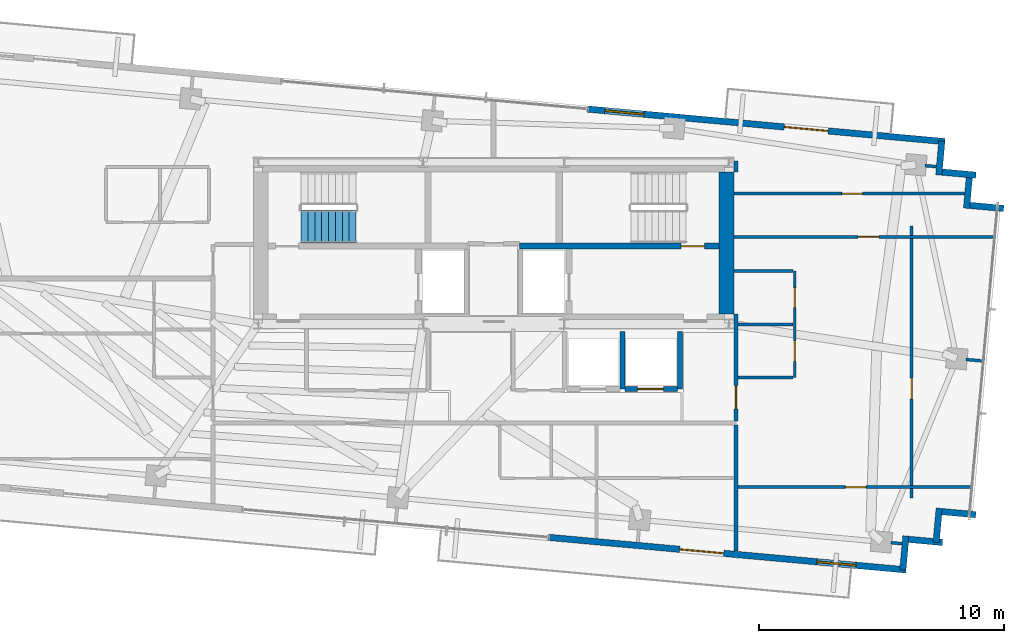
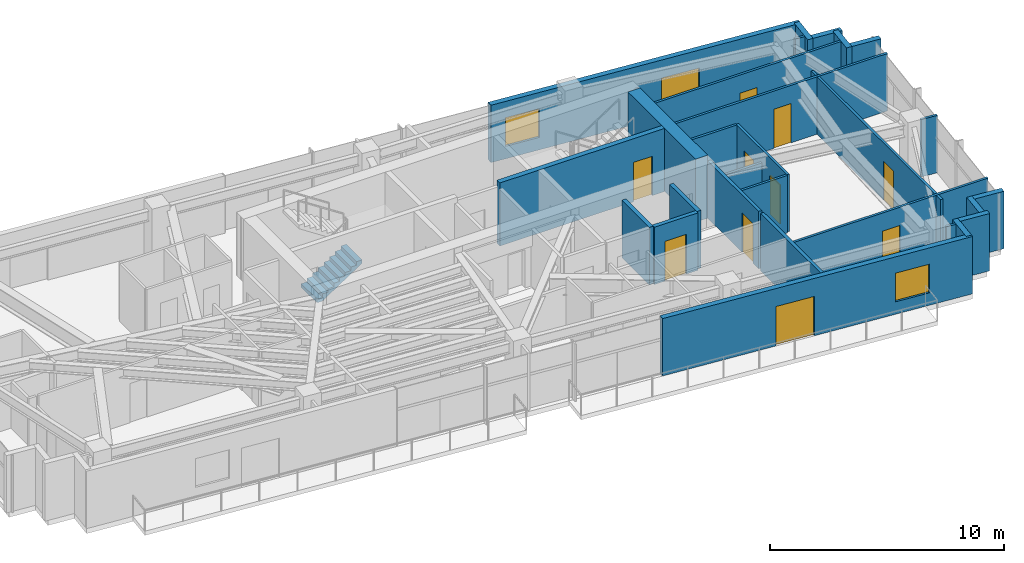
# One storey, part 18 of 22: 31 walls, 11 doors, 2 windows, 1 stair flight, 13 openings, 1 element without a shape of its own.
"""IFC4 building model written with IfcOpenShell, lengths in metres."""

from ifc_helpers import new_model, si_unit, direction, frame, frame_2d, origin, place, context, subcontext, project, spatial, polyline, rectangle, outline, extrude, source, transform, mapped, material, layer, layer_set, type_object, type_shapes, element, fill, aggregate, save


model = new_model("IFC4")

# Units and contexts
model_context = context("Model", 3, precision=1e-05, world=origin(), true_north=direction((0.0, 1.0)))
body_context = subcontext(model_context, "Body", "Model", "MODEL_VIEW")
ifc_project = project(units=[si_unit("LENGTHUNIT", "METRE"), si_unit("AREAUNIT", "SQUARE_METRE"), si_unit("VOLUMEUNIT", "CUBIC_METRE"), si_unit("PLANEANGLEUNIT", "RADIAN"), si_unit("MASSUNIT", "GRAM", prefix="KILO")], contexts=[model_context])

# Site, building, storey
site_placement = place(None, origin())
site = spatial("IfcSite", under=ifc_project, at=site_placement, CompositionType="ELEMENT")
building_placement = place(site_placement, origin())
building = spatial("IfcBuilding", under=site, at=building_placement, Name="Astriad Promenade Condominiums", CompositionType="ELEMENT")
storey_placement = place(building_placement, frame((0.0, 0.0, 256.199951171875)))
storey = spatial("IfcBuildingStorey", under=building, at=storey_placement, Name="L74", CompositionType="ELEMENT", Elevation=256.199951171875)

# Wall
ifc_material_1 = material(Name="Concrete C50/60", Category="concrete")
ifc_layer_1 = layer(ifc_material_1, 0.60009765625)
ifc_layer_set_1 = layer_set([ifc_layer_1], Name="Concrete C50/60")
wall_type_1 = type_object("IfcWallType", Name="CW-SHEAR-600", PredefinedType="SHEAR", material=ifc_layer_set_1)
wall_1_placement = place(storey_placement, frame((45.5, 17.802001953125, 0.0), z_axis=(0.0, 0.0, 1.0), x_axis=(0.0, 1.0, 0.0)))
element("IfcWall", 1, at=wall_1_placement, inside=storey, type_object=wall_type_1, Name="CW-CORE-E-L74", PredefinedType="SHEAR", context=body_context, shape_type="SweptSolid", body=[
    extrude(rectangle(XDim=5.7958984375, YDim=0.60009765625, at=frame_2d((2.89794921875, 0.0))), origin(), (0.0, 0.0, 1.0), 3.300048828125),
])

# Wall, opening, door
ifc_layer_2 = layer(ifc_material_1, 0.25)
ifc_layer_set_2 = layer_set([ifc_layer_2], Name="Concrete C50/60")
wall_type_2 = type_object("IfcWallType", Name="WALL-CORE-INT-250", PredefinedType="SOLIDWALL", material=ifc_layer_set_2)
wall_2_placement = place(storey_placement, frame((37.050048828125, 20.574951171875, 0.0), z_axis=(0.0, 0.0, 1.0), x_axis=(1.0, 0.0, 0.0)))
wall_2 = element("IfcWall", 2, at=wall_2_placement, inside=storey, type_object=wall_type_2, Name="CW-INT-H2-L74", PredefinedType="SOLIDWALL", context=body_context, shape_type="SweptSolid", body=[
    extrude(rectangle(XDim=8.14794921875, YDim=0.25, at=frame_2d((4.073974609375, 0.0))), origin(), (0.0, 0.0, 1.0), 3.300048828125),
])
opening_1_placement = place(wall_2_placement, frame((6.60009765625, 0.0, 0.0)))
opening_1 = element("IfcOpeningElement", 3, at=opening_1_placement, cuts=wall_2, Name="Opening FD90-ST-095", PredefinedType="OPENING", context=body_context, shape_type="SweptSolid", body=[
    extrude(rectangle(XDim=0.949951171875, YDim=2.06005859375, at=frame_2d((0.47509765625, 1.030029296875))), frame((0.0, 0.135009765625, 0.0), z_axis=(0.0, -1.0, 0.0), x_axis=(1.0, 0.0, 0.0)), (0.0, 0.0, 1.0), 0.27001953125),
])
ifc_material_2 = material(Name="Fire-Rated Hollow Metal Stair Door")
door_type_1 = type_object("IfcDoorType", Name="FD90-ST-095", OperationType="NOTDEFINED", PredefinedType="DOOR", material=ifc_material_2)
shared_shape_1 = source(origin(), body_context, "Body", "SweptSolid", [
    extrude(rectangle(XDim=0.949951171875, YDim=2.06005859375, at=frame_2d((0.47509765625, 1.030029296875))), frame((0.0, 0.02490234375, 0.0), z_axis=(0.0, -1.0, 0.0), x_axis=(1.0, 0.0, 0.0)), (0.0, 0.0, 1.0), 0.050048828125),
])
type_shapes(door_type_1, [shared_shape_1])
door_1_placement = place(opening_1_placement, origin())
door_1 = element("IfcDoor", 4, at=door_1_placement, inside=storey, type_object=door_type_1, Name="D-ST2-L74", OperationType="SINGLE_SWING_RIGHT", OverallHeight=2.06005859375, OverallWidth=0.949951171875, PredefinedType="DOOR", context=body_context, shape_type="MappedRepresentation", body=[
    mapped(shared_shape_1, transform((0.0, 0.0, 0.0), scale=1.0)),
])
fill(opening_1, door_1)

# Wall
ifc_material_3 = material(Name="Fire-Rated Gypsum Partition")
ifc_layer_3 = layer(ifc_material_3, 0.159912109375)
ifc_layer_set_3 = layer_set([ifc_layer_3], Name="Fire-Rated Gypsum Partition")
wall_type_3 = type_object("IfcWallType", Name="WALL-CORR-160", PredefinedType="PARTITIONING", material=ifc_layer_set_3)
wall_3_placement = place(storey_placement, frame((45.8798828125, 8.135986328125, 0.0), z_axis=(0.0, 0.0, 1.0), x_axis=(0.0, 1.0, 0.0)))
element("IfcWall", 5, at=wall_3_placement, inside=storey, type_object=wall_type_3, Name="PT-COR-E-L74", PredefinedType="PARTITIONING", context=body_context, shape_type="SweptSolid", body=[
    extrude(rectangle(XDim=5.14208984375, YDim=0.159912109375, at=frame_2d((2.571044921875, 0.0))), origin(), (0.0, 0.0, 1.0), 3.0),
])

# Wall, opening, door
wall_4_placement = place(storey_placement, frame((45.8798828125, 13.44189453125, 0.0), z_axis=(0.0, 0.0, 1.0), x_axis=(0.0, 1.0, 0.0)))
wall_4 = element("IfcWall", 6, at=wall_4_placement, inside=storey, type_object=wall_type_3, Name="PT-COR-E-L74-S2", PredefinedType="PARTITIONING", context=body_context, shape_type="SweptSolid", body=[
    extrude(rectangle(XDim=4.360107421875, YDim=0.159912109375, at=frame_2d((2.18017578125, 0.0))), origin(), (0.0, 0.0, 1.0), 3.0),
])
opening_2_placement = place(wall_4_placement, frame((0.492919921875, 0.0, 0.0)))
opening_2 = element("IfcOpeningElement", 7, at=opening_2_placement, cuts=wall_4, Name="Opening FD60-APT-095", PredefinedType="OPENING", context=body_context, shape_type="SweptSolid", body=[
    extrude(rectangle(XDim=0.949951171875, YDim=2.06005859375, at=frame_2d((0.47509765625, 1.030029296875))), frame((0.0, 0.08984375, 0.0), z_axis=(0.0, -1.0, 0.0), x_axis=(1.0, 0.0, 0.0)), (0.0, 0.0, 1.0), 0.179931640625),
])
ifc_material_4 = material(Name="Solid-Core Acoustic Timber Residence Entry Door", Category="wood")
door_type_2 = type_object("IfcDoorType", Name="FD60-APT-095", OperationType="NOTDEFINED", PredefinedType="DOOR", material=ifc_material_4)
shared_shape_2 = source(origin(), body_context, "Body", "SweptSolid", [
    extrude(rectangle(XDim=0.949951171875, YDim=2.06005859375, at=frame_2d((0.47509765625, 1.030029296875))), frame((0.0, 0.02490234375, 0.0), z_axis=(0.0, -1.0, 0.0), x_axis=(1.0, 0.0, 0.0)), (0.0, 0.0, 1.0), 0.050048828125),
])
type_shapes(door_type_2, [shared_shape_2])
door_2_placement = place(opening_2_placement, origin())
door_2 = element("IfcDoor", 8, at=door_2_placement, inside=storey, type_object=door_type_2, Name="D-ENT-L74-E1", OperationType="SINGLE_SWING_LEFT", OverallHeight=2.06005859375, OverallWidth=0.949951171875, PredefinedType="DOOR", context=body_context, shape_type="MappedRepresentation", body=[
    mapped(shared_shape_2, transform((0.0, 0.0, 0.0), scale=1.0)),
])
fill(opening_2, door_2)

# Wall
wall_5_placement = place(storey_placement, frame((45.8798828125, 23.597900390625, 0.0), z_axis=(0.0, 0.0, 1.0), x_axis=(0.0, 1.0, 0.0)))
element("IfcWall", 9, at=wall_5_placement, inside=storey, type_object=wall_type_3, Name="PT-COR-E-L74-S3", PredefinedType="PARTITIONING", context=body_context, shape_type="SweptSolid", body=[
    extrude(rectangle(XDim=0.4521484375, YDim=0.159912109375, at=frame_2d((0.22607421875, 0.0))), origin(), (0.0, 0.0, 1.0), 3.0),
])

# Wall, openings, door, window
ifc_material_5 = material(Name="Precast concrete C50/60", Category="concrete")
ifc_layer_4 = layer(ifc_material_5, 0.260009765625)
ifc_layer_set_4 = layer_set([ifc_layer_4], Name="Precast concrete C50/60")
wall_type_4 = type_object("IfcWallType", Name="WALL-EXT-TWR-260", PredefinedType="STANDARD", material=ifc_layer_set_4)
wall_6_placement = place(storey_placement, frame((39.839111328125, 26.16552734375, 0.0), z_axis=(0.0, 0.0, 1.0), x_axis=(0.995884447498, -0.090632043071, 0.0)))
wall_6 = element("IfcWall", 10, at=wall_6_placement, inside=storey, type_object=wall_type_4, Name="W-EXT-L74-N2", PredefinedType="STANDARD", context=body_context, shape_type="SweptSolid", body=[
    extrude(rectangle(XDim=14.6298828125, YDim=0.260009765625, at=frame_2d((7.31494140625, 0.0))), origin(), (0.0, 0.0, 1.0), 3.0),
])
opening_3_placement = place(wall_6_placement, frame((8.050048828125, 0.0, 0.0)))
opening_3 = element("IfcOpeningElement", 11, at=opening_3_placement, cuts=wall_6, Name="Opening BD-1822-SLD", PredefinedType="OPENING", context=body_context, shape_type="SweptSolid", body=[
    extrude(rectangle(XDim=1.800048828125, YDim=2.06005859375, at=frame_2d((0.89990234375, 1.030029296875))), frame((0.0, 0.139892578125, 0.0), z_axis=(0.0, -1.0, 0.0), x_axis=(1.0, 0.0, 0.0)), (0.0, 0.0, 1.0), 0.280029296875),
])
opening_4_placement = place(wall_6_placement, frame((0.699951171875, 0.0, 0.64990234375)))
opening_4 = element("IfcOpeningElement", 12, at=opening_4_placement, cuts=wall_6, Name="Opening WIN-TWR-1620", PredefinedType="OPENING", context=body_context, shape_type="SweptSolid", body=[
    extrude(rectangle(XDim=1.60009765625, YDim=1.5, at=frame_2d((0.800048828125, 0.75))), frame((0.0, 0.139892578125, 0.0), z_axis=(0.0, -1.0, 0.0), x_axis=(1.0, 0.0, 0.0)), (0.0, 0.0, 1.0), 0.280029296875),
])
ifc_material_6 = material(Name="Thermally Broken Aluminium Sliding Balcony Door", Category="aluminium")
door_type_3 = type_object("IfcDoorType", Name="BD-1822-SLD", OperationType="NOTDEFINED", PredefinedType="DOOR", material=ifc_material_6)
shared_shape_3 = source(origin(), body_context, "Body", "SweptSolid", [
    extrude(rectangle(XDim=1.800048828125, YDim=2.06005859375, at=frame_2d((0.89990234375, 1.030029296875))), frame((0.0, 0.02490234375, 0.0), z_axis=(0.0, -1.0, 0.0), x_axis=(1.0, 0.0, 0.0)), (0.0, 0.0, 1.0), 0.050048828125),
])
type_shapes(door_type_3, [shared_shape_3])
door_3_placement = place(opening_3_placement, origin())
door_3 = element("IfcDoor", 13, at=door_3_placement, inside=storey, type_object=door_type_3, Name="BD-L74-NE", OperationType="SLIDING_TO_RIGHT", OverallHeight=2.06005859375, OverallWidth=1.800048828125, PredefinedType="DOOR", context=body_context, shape_type="MappedRepresentation", body=[
    mapped(shared_shape_3, transform((0.0, 0.0, 0.0), scale=1.0)),
])
fill(opening_3, door_3)
ifc_material_7 = material(Name="Dark Tinted Triple-Glazed Aluminium Window", Category="aluminium")
window_type = type_object("IfcWindowType", Name="WIN-TWR-1620", PartitioningType="SINGLE_PANEL", PredefinedType="WINDOW", material=ifc_material_7)
shared_shape_4 = source(origin(), body_context, "Body", "SweptSolid", [
    extrude(rectangle(XDim=1.60009765625, YDim=1.5, at=frame_2d((0.800048828125, 0.75))), frame((0.0, 0.030029296875, 0.0), z_axis=(0.0, -1.0, 0.0), x_axis=(1.0, 0.0, 0.0)), (0.0, 0.0, 1.0), 0.06005859375),
])
type_shapes(window_type, [shared_shape_4])
window_1_placement = place(opening_4_placement, origin())
window_1 = element("IfcWindow", 14, at=window_1_placement, inside=storey, type_object=window_type, Name="WIN-L74-NE", OverallHeight=1.5, OverallWidth=1.60009765625, PartitioningType="SINGLE_PANEL", PredefinedType="WINDOW", context=body_context, shape_type="MappedRepresentation", body=[
    mapped(shared_shape_4, transform((0.0, 0.0, 0.0), scale=1.0)),
])
fill(opening_4, window_1)

# Walls
wall_7_placement = place(storey_placement, frame((54.28076171875, 24.866455078125, 0.0), z_axis=(0.0, 0.0, 1.0), x_axis=(-0.090661991521, -0.995881721538, 0.0)))
element("IfcWall", 15, at=wall_7_placement, inside=storey, type_object=wall_type_4, Name="W-SER-L74-09", PredefinedType="STANDARD", context=body_context, shape_type="SweptSolid", body=[
    extrude(rectangle(XDim=1.39501953125, YDim=0.260009765625, at=frame_2d((0.697509765625, 0.0))), origin(), (0.0, 0.0, 1.0), 3.0),
])
for number, where, z_axis, x_axis, name in (
    (16, (54.280517578125, 23.59619140625, 0.0), (0.0, 0.0, 1.0), (0.995883159782, -0.090646191665, 0.0), "W-SER-L74-10"),
    (17, (55.412353515625, 23.50830078125, 0.0), (0.0, 0.0, 1.0), (-0.090646191665, -0.995883159782, 0.0), "W-SER-L74-11"),
    (18, (55.412109375, 22.238037109375, 0.0), (0.0, 0.0, 1.0), (0.995883159782, -0.090646191665, 0.0), "W-SER-L74-12"),
):
    element("IfcWall", number, at=place(storey_placement, frame(where, z_axis=z_axis, x_axis=x_axis)), inside=storey, type_object=wall_type_4, Name=name, PredefinedType="STANDARD", context=body_context, shape_type="SweptSolid", body=[
        extrude(rectangle(XDim=1.395263671875, YDim=0.260009765625, at=frame_2d((0.69775390625, 0.0))), origin(), (0.0, 0.0, 1.0), 3.0),
    ])
for number, where, z_axis, x_axis, name in (
    (19, (55.664794921875, 9.623291015625, 0.0), (0.0, 0.0, 1.0), (-0.995881721538, 0.090661991521, 0.0), "W-SER-L74-14"),
    (20, (54.1728515625, 9.889404296875, 0.0), (0.0, 0.0, 1.0), (-0.090661991521, -0.995881721538, 0.0), "W-SER-L74-15"),
):
    element("IfcWall", number, at=place(storey_placement, frame(where, z_axis=z_axis, x_axis=x_axis)), inside=storey, type_object=wall_type_4, Name=name, PredefinedType="STANDARD", context=body_context, shape_type="SweptSolid", body=[
        extrude(rectangle(XDim=1.39501953125, YDim=0.260009765625, at=frame_2d((0.697509765625, 0.0))), origin(), (0.0, 0.0, 1.0), 3.0),
    ])
for number, where, z_axis, x_axis, name in (
    (21, (54.306884765625, 8.49169921875, 0.0), (0.0, 0.0, 1.0), (-0.995883159782, 0.090646191665, 0.0), "W-SER-L74-16"),
    (22, (52.814697265625, 8.758056640625, 0.0), (0.0, 0.0, 1.0), (-0.090646191665, -0.995883159782, 0.0), "W-SER-L74-17"),
):
    element("IfcWall", number, at=place(storey_placement, frame(where, z_axis=z_axis, x_axis=x_axis)), inside=storey, type_object=wall_type_4, Name=name, PredefinedType="STANDARD", context=body_context, shape_type="SweptSolid", body=[
        extrude(rectangle(XDim=1.395263671875, YDim=0.260009765625, at=frame_2d((0.69775390625, 0.0))), origin(), (0.0, 0.0, 1.0), 3.0),
    ])

# Wall, openings, door, window
wall_8_placement = place(storey_placement, frame((52.819091796875, 7.371826171875, 0.0), z_axis=(0.0, 0.0, 1.0), x_axis=(-0.995884447498, 0.090632043071, 0.0)))
wall_8 = element("IfcWall", 23, at=wall_8_placement, inside=storey, type_object=wall_type_4, Name="W-EXT-L74-S1", PredefinedType="STANDARD", context=body_context, shape_type="SweptSolid", body=[
    extrude(rectangle(XDim=14.6298828125, YDim=0.260009765625, at=frame_2d((7.31494140625, 0.0))), origin(), (0.0, 0.0, 1.0), 3.0),
])
opening_5_placement = place(wall_8_placement, frame((7.470947265625, 0.0, 0.0)))
opening_5 = element("IfcOpeningElement", 24, at=opening_5_placement, cuts=wall_8, Name="Opening BD-1822-SLD", PredefinedType="OPENING", context=body_context, shape_type="SweptSolid", body=[
    extrude(rectangle(XDim=1.800048828125, YDim=2.06005859375, at=frame_2d((0.89990234375, 1.030029296875))), frame((0.0, 0.139892578125, 0.0), z_axis=(0.0, -1.0, 0.0), x_axis=(1.0, 0.0, 0.0)), (0.0, 0.0, 1.0), 0.280029296875),
])
opening_6_placement = place(wall_8_placement, frame((2.050048828125, 0.0, 0.64990234375)))
opening_6 = element("IfcOpeningElement", 25, at=opening_6_placement, cuts=wall_8, Name="Opening WIN-TWR-1620", PredefinedType="OPENING", context=body_context, shape_type="SweptSolid", body=[
    extrude(rectangle(XDim=1.60009765625, YDim=1.5, at=frame_2d((0.800048828125, 0.75))), frame((0.0, 0.139892578125, 0.0), z_axis=(0.0, -1.0, 0.0), x_axis=(1.0, 0.0, 0.0)), (0.0, 0.0, 1.0), 0.280029296875),
])
door_4_placement = place(opening_5_placement, origin())
door_4 = element("IfcDoor", 26, at=door_4_placement, inside=storey, type_object=door_type_3, Name="BD-L74-SE", OperationType="SLIDING_TO_RIGHT", OverallHeight=2.06005859375, OverallWidth=1.800048828125, PredefinedType="DOOR", context=body_context, shape_type="MappedRepresentation", body=[
    mapped(shared_shape_3, transform((0.0, 0.0, 0.0), scale=1.0)),
])
fill(opening_5, door_4)
window_2_placement = place(opening_6_placement, origin())
window_2 = element("IfcWindow", 27, at=window_2_placement, inside=storey, type_object=window_type, Name="WIN-L74-SE", OverallHeight=1.5, OverallWidth=1.60009765625, PartitioningType="SINGLE_PANEL", PredefinedType="WINDOW", context=body_context, shape_type="MappedRepresentation", body=[
    mapped(shared_shape_4, transform((0.0, 0.0, 0.0), scale=1.0)),
])
fill(opening_6, window_2)

# Wall, openings, doors
ifc_material_8 = material(Name="Acoustic Metal-Stud Gypsum Partition")
ifc_layer_5 = layer(ifc_material_8, 0.1201171875)
ifc_layer_set_5 = layer_set([ifc_layer_5], Name="Acoustic Metal-Stud Gypsum Partition")
wall_type_5 = type_object("IfcWallType", Name="WALL-PART-120", PredefinedType="PARTITIONING", material=ifc_layer_set_5)
wall_9_placement = place(storey_placement, frame((48.280029296875, 15.2099609375, 0.0), z_axis=(0.0, 0.0, 1.0), x_axis=(0.0, 1.0, 0.0)))
wall_9 = element("IfcWall", 28, at=wall_9_placement, inside=storey, type_object=wall_type_5, Name="PT-L74-E1-PV", PredefinedType="PARTITIONING", context=body_context, shape_type="SweptSolid", body=[
    extrude(rectangle(XDim=4.35009765625, YDim=0.1201171875, at=frame_2d((2.175048828125, 0.0))), origin(), (0.0, 0.0, 1.0), 3.0),
])
opening_7_placement = place(wall_9_placement, frame((0.662109375, 0.0, 0.0)))
opening_7 = element("IfcOpeningElement", 29, at=opening_7_placement, cuts=wall_9, Name="Opening D-INT-085", PredefinedType="OPENING", context=body_context, shape_type="SweptSolid", body=[
    extrude(rectangle(XDim=0.85009765625, YDim=2.050048828125, at=frame_2d((0.425048828125, 1.02490234375))), frame((0.0, 0.070068359375, 0.0), z_axis=(0.0, -1.0, 0.0), x_axis=(1.0, 0.0, 0.0)), (0.0, 0.0, 1.0), 0.14013671875),
])
opening_8_placement = place(wall_9_placement, frame((2.863037109375, 0.0, 0.0)))
opening_8 = element("IfcOpeningElement", 30, at=opening_8_placement, cuts=wall_9, Name="Opening D-WET-080", PredefinedType="OPENING", context=body_context, shape_type="SweptSolid", body=[
    extrude(rectangle(XDim=0.800048828125, YDim=2.02001953125, at=frame_2d((0.39990234375, 1.010009765625))), frame((0.0, 0.070068359375, 0.0), z_axis=(0.0, -1.0, 0.0), x_axis=(1.0, 0.0, 0.0)), (0.0, 0.0, 1.0), 0.14013671875),
])
ifc_material_9 = material(Name="Moisture-Resistant Timber Bathroom Door", Category="wood")
door_type_4 = type_object("IfcDoorType", Name="D-WET-080", OperationType="NOTDEFINED", PredefinedType="DOOR", material=ifc_material_9)
shared_shape_5 = source(origin(), body_context, "Body", "SweptSolid", [
    extrude(rectangle(XDim=0.800048828125, YDim=2.02001953125, at=frame_2d((0.39990234375, 1.010009765625))), frame((0.0, 0.02490234375, 0.0), z_axis=(0.0, -1.0, 0.0), x_axis=(1.0, 0.0, 0.0)), (0.0, 0.0, 1.0), 0.050048828125),
])
type_shapes(door_type_4, [shared_shape_5])
door_5_placement = place(opening_8_placement, origin())
door_5 = element("IfcDoor", 31, at=door_5_placement, inside=storey, type_object=door_type_4, Name="D-BTH-L74-E1", OperationType="SINGLE_SWING_LEFT", OverallHeight=2.02001953125, OverallWidth=0.800048828125, PredefinedType="DOOR", context=body_context, shape_type="MappedRepresentation", body=[
    mapped(shared_shape_5, transform((0.0, 0.0, 0.0), scale=1.0)),
])
fill(opening_8, door_5)
ifc_material_10 = material(Name="Painted Solid-Core Timber Room Door", Category="wood")
door_type_5 = type_object("IfcDoorType", Name="D-INT-085", OperationType="NOTDEFINED", PredefinedType="DOOR", material=ifc_material_10)
shared_shape_6 = source(origin(), body_context, "Body", "SweptSolid", [
    extrude(rectangle(XDim=0.85009765625, YDim=2.050048828125, at=frame_2d((0.425048828125, 1.02490234375))), frame((0.0, 0.02490234375, 0.0), z_axis=(0.0, -1.0, 0.0), x_axis=(1.0, 0.0, 0.0)), (0.0, 0.0, 1.0), 0.050048828125),
])
type_shapes(door_type_5, [shared_shape_6])
door_6_placement = place(opening_7_placement, origin())
door_6 = element("IfcDoor", 32, at=door_6_placement, inside=storey, type_object=door_type_5, Name="D-KIT-L74-E1", OperationType="SINGLE_SWING_RIGHT", OverallHeight=2.050048828125, OverallWidth=0.85009765625, PredefinedType="DOOR", context=body_context, shape_type="MappedRepresentation", body=[
    mapped(shared_shape_6, transform((0.0, 0.0, 0.0), scale=1.0)),
])
fill(opening_7, door_6)

# Walls
wall_10_placement = place(storey_placement, frame((45.9619140625, 17.385009765625, 0.0), z_axis=(0.0, 0.0, 1.0), x_axis=(1.0, 0.0, 0.0)))
element("IfcWall", 33, at=wall_10_placement, inside=storey, type_object=wall_type_5, Name="PT-L74-E1-PM", PredefinedType="PARTITIONING", context=body_context, shape_type="SweptSolid", body=[
    extrude(rectangle(XDim=2.256103515625, YDim=0.1201171875, at=frame_2d((1.1279296875, 0.0))), origin(), (0.0, 0.0, 1.0), 2.341552734375),
])
wall_11_placement = place(storey_placement, frame((45.9619140625, 15.2099609375, 0.0), z_axis=(0.0, 0.0, 1.0), x_axis=(1.0, 0.0, 0.0)))
element("IfcWall", 34, at=wall_11_placement, inside=storey, type_object=wall_type_5, Name="PT-L74-E1-PS", PredefinedType="PARTITIONING", context=body_context, shape_type="SweptSolid", body=[
    extrude(rectangle(XDim=2.256103515625, YDim=0.1201171875, at=frame_2d((1.1279296875, 0.0))), origin(), (0.0, 0.0, 1.0), 3.0),
])
wall_12_placement = place(storey_placement, frame((45.802001953125, 19.56005859375, 0.0), z_axis=(0.0, 0.0, 1.0), x_axis=(1.0, 0.0, 0.0)))
element("IfcWall", 35, at=wall_12_placement, inside=storey, type_object=wall_type_5, Name="PT-L74-E1-PN", PredefinedType="PARTITIONING", context=body_context, shape_type="SweptSolid", body=[
    extrude(rectangle(XDim=2.416015625, YDim=0.1201171875, at=frame_2d((1.2080078125, 0.0))), origin(), (0.0, 0.0, 1.0), 3.0),
])

# Wall, opening, door
wall_13_placement = place(storey_placement, frame((45.802001953125, 22.717041015625, 0.0), z_axis=(0.0, 0.0, 1.0), x_axis=(1.0, 0.0, 0.0)))
wall_13 = element("IfcWall", 36, at=wall_13_placement, inside=storey, type_object=wall_type_5, Name="PT-L74-E1-WDN1", PredefinedType="PARTITIONING", context=body_context, shape_type="SweptSolid", body=[
    extrude(rectangle(XDim=9.40576171875, YDim=0.1201171875, at=frame_2d((4.702880859375, 0.0))), origin(), (0.0, 0.0, 1.0), 3.0),
])
opening_9_placement = place(wall_13_placement, frame((4.39697265625, 0.0, 0.0)))
opening_9 = element("IfcOpeningElement", 37, at=opening_9_placement, cuts=wall_13, Name="Opening D-INT-085", PredefinedType="OPENING", context=body_context, shape_type="SweptSolid", body=[
    extrude(rectangle(XDim=0.85009765625, YDim=2.050048828125, at=frame_2d((0.425048828125, 1.02490234375))), frame((0.0, 0.070068359375, 0.0), z_axis=(0.0, -1.0, 0.0), x_axis=(1.0, 0.0, 0.0)), (0.0, 0.0, 1.0), 0.14013671875),
])
door_7_placement = place(opening_9_placement, origin())
door_7 = element("IfcDoor", 38, at=door_7_placement, inside=storey, type_object=door_type_5, Name="D-WDN1-L74-E1", OperationType="SINGLE_SWING_RIGHT", OverallHeight=2.050048828125, OverallWidth=0.85009765625, PredefinedType="DOOR", context=body_context, shape_type="MappedRepresentation", body=[
    mapped(shared_shape_6, transform((0.0, 0.0, 0.0), scale=1.0)),
])
fill(opening_9, door_7)

wall_14_placement = place(storey_placement, frame((45.9619140625, 10.74609375, 0.0), z_axis=(0.0, 0.0, 1.0), x_axis=(1.0, 0.0, 0.0)))
wall_14 = element("IfcWall", 39, at=wall_14_placement, inside=storey, type_object=wall_type_5, Name="PT-L74-E1-WDS2", PredefinedType="PARTITIONING", context=body_context, shape_type="SweptSolid", body=[
    extrude(rectangle(XDim=9.59423828125, YDim=0.1201171875, at=frame_2d((4.797119140625, 0.0))), origin(), (0.0, 0.0, 1.0), 3.0),
])
opening_10_placement = place(wall_14_placement, frame((4.3779296875, 0.0, 0.0)))
opening_10 = element("IfcOpeningElement", 40, at=opening_10_placement, cuts=wall_14, Name="Opening D-INT-085", PredefinedType="OPENING", context=body_context, shape_type="SweptSolid", body=[
    extrude(rectangle(XDim=0.85009765625, YDim=2.050048828125, at=frame_2d((0.425048828125, 1.02490234375))), frame((0.0, 0.070068359375, 0.0), z_axis=(0.0, -1.0, 0.0), x_axis=(1.0, 0.0, 0.0)), (0.0, 0.0, 1.0), 0.14013671875),
])
door_8_placement = place(opening_10_placement, origin())
door_8 = element("IfcDoor", 41, at=door_8_placement, inside=storey, type_object=door_type_5, Name="D-WDS2-L74-E1", OperationType="SINGLE_SWING_LEFT", OverallHeight=2.050048828125, OverallWidth=0.85009765625, PredefinedType="DOOR", context=body_context, shape_type="MappedRepresentation", body=[
    mapped(shared_shape_6, transform((0.0, 0.0, 0.0), scale=1.0)),
])
fill(opening_10, door_8)

wall_15_placement = place(storey_placement, frame((45.802001953125, 20.9541015625, 0.0), z_axis=(0.0, 0.0, 1.0), x_axis=(1.0, 0.0, 0.0)))
wall_15 = element("IfcWall", 42, at=wall_15_placement, inside=storey, type_object=wall_type_5, Name="PT-L74-E1-WDN3", PredefinedType="PARTITIONING", context=body_context, shape_type="SweptSolid", body=[
    extrude(rectangle(XDim=10.68310546875, YDim=0.1201171875, at=frame_2d((5.341552734375, 0.0))), origin(), (0.0, 0.0, 1.0), 3.0),
])
opening_11_placement = place(wall_15_placement, frame((5.06201171875, 0.0, 0.0)))
opening_11 = element("IfcOpeningElement", 43, at=opening_11_placement, cuts=wall_15, Name="Opening D-INT-085", PredefinedType="OPENING", context=body_context, shape_type="SweptSolid", body=[
    extrude(rectangle(XDim=0.85009765625, YDim=2.050048828125, at=frame_2d((0.425048828125, 1.02490234375))), frame((0.0, 0.070068359375, 0.0), z_axis=(0.0, -1.0, 0.0), x_axis=(1.0, 0.0, 0.0)), (0.0, 0.0, 1.0), 0.14013671875),
])
door_9_placement = place(opening_11_placement, origin())
door_9 = element("IfcDoor", 44, at=door_9_placement, inside=storey, type_object=door_type_5, Name="D-WDN3-L74-E1", OperationType="SINGLE_SWING_RIGHT", OverallHeight=2.050048828125, OverallWidth=0.85009765625, PredefinedType="DOOR", context=body_context, shape_type="MappedRepresentation", body=[
    mapped(shared_shape_6, transform((0.0, 0.0, 0.0), scale=1.0)),
])
fill(opening_11, door_9)

# Wall
wall_16_placement = place(storey_placement, frame((53.047119140625, 10.305908203125, 0.0), z_axis=(0.0, 0.0, 1.0), x_axis=(0.0, 1.0, 0.0)))
element("IfcWall", 45, at=wall_16_placement, inside=storey, type_object=wall_type_5, Name="PT-L74-E1-WDV4", PredefinedType="PARTITIONING", context=body_context, shape_type="SweptSolid", body=[
    extrude(rectangle(XDim=0.378173828125, YDim=0.1201171875, at=frame_2d((0.18896484375, 0.0))), origin(), (0.0, 0.0, 1.0), 3.0),
])

# Wall, opening, door
wall_17_placement = place(storey_placement, frame((53.047119140625, 10.80810546875, 0.0), z_axis=(0.0, 0.0, 1.0), x_axis=(0.0, 1.0, 0.0)))
wall_17 = element("IfcWall", 46, at=wall_17_placement, inside=storey, type_object=wall_type_5, Name="PT-L74-E1-WDV4-S2", PredefinedType="PARTITIONING", context=body_context, shape_type="SweptSolid", body=[
    extrude(rectangle(XDim=10.083984375, YDim=0.1201171875, at=frame_2d((5.0419921875, 0.0))), origin(), (0.0, 0.0, 1.0), 3.0),
])
opening_12_placement = place(wall_17_placement, frame((3.5400390625, 0.0, 0.0)))
opening_12 = element("IfcOpeningElement", 47, at=opening_12_placement, cuts=wall_17, Name="Opening D-INT-085", PredefinedType="OPENING", context=body_context, shape_type="SweptSolid", body=[
    extrude(rectangle(XDim=0.85009765625, YDim=2.050048828125, at=frame_2d((0.425048828125, 1.02490234375))), frame((0.0, 0.070068359375, 0.0), z_axis=(0.0, -1.0, 0.0), x_axis=(1.0, 0.0, 0.0)), (0.0, 0.0, 1.0), 0.14013671875),
])
door_10_placement = place(opening_12_placement, origin())
door_10 = element("IfcDoor", 48, at=door_10_placement, inside=storey, type_object=door_type_5, Name="D-WDV4-L74-E1", OperationType="SINGLE_SWING_LEFT", OverallHeight=2.050048828125, OverallWidth=0.85009765625, PredefinedType="DOOR", context=body_context, shape_type="MappedRepresentation", body=[
    mapped(shared_shape_6, transform((0.0, 0.0, 0.0), scale=1.0)),
])
fill(opening_12, door_10)

# Walls
wall_18_placement = place(storey_placement, frame((53.047119140625, 21.01611328125, 0.0), z_axis=(0.0, 0.0, 1.0), x_axis=(0.0, 1.0, 0.0)))
element("IfcWall", 49, at=wall_18_placement, inside=storey, type_object=wall_type_5, Name="PT-L74-E1-WDV4-S3", PredefinedType="PARTITIONING", context=body_context, shape_type="SweptSolid", body=[
    extrude(rectangle(XDim=0.3779296875, YDim=0.1201171875, at=frame_2d((0.18896484375, 0.0))), origin(), (0.0, 0.0, 1.0), 3.0),
])
for number, where, z_axis, x_axis, name in (
    (50, (52.197265625, 8.48291015625, 0.0), (0.0, 0.0, 1.0), (0.995884462012, -0.090631883588, 0.0), "PT-PIL-L74-PC05-12"),
    (51, (53.5966796875, 23.859375, 0.0), (0.0, 0.0, 1.0), (0.995884462012, -0.090631883588, 0.0), "PT-PIL-L74-PC10-17"),
):
    element("IfcWall", number, at=place(storey_placement, frame(where, z_axis=z_axis, x_axis=x_axis)), inside=storey, type_object=wall_type_5, Name=name, PredefinedType="PARTITIONING", context=body_context, shape_type="SweptSolid", body=[
        extrude(rectangle(XDim=0.4580078125, YDim=0.1201171875, at=frame_2d((0.22900390625, 0.0))), origin(), (0.0, 0.0, 1.0), 3.0),
    ])
wall_19_placement = place(storey_placement, frame((55.26708984375, 15.955322265625, 0.0), z_axis=(0.0, 0.0, 1.0), x_axis=(0.995887938321, -0.09059367697, 0.0)))
element("IfcWall", 52, at=wall_19_placement, inside=storey, type_object=wall_type_5, Name="PT-PIL-L74-PC12-19", PredefinedType="PARTITIONING", context=body_context, shape_type="SweptSolid", body=[
    extrude(rectangle(XDim=0.760009765625, YDim=0.1201171875, at=frame_2d((0.3798828125, 0.0))), origin(), (0.0, 0.0, 1.0), 3.0),
])
ifc_material_11 = material(Name="Gypsum Shaftliner Assembly")
ifc_layer_6 = layer(ifc_material_11, 0.199951171875)
ifc_layer_set_6 = layer_set([ifc_layer_6], Name="Gypsum Shaftliner Assembly")
wall_type_6 = type_object("IfcWallType", Name="WALL-SHAFT-200", PredefinedType="PARTITIONING", material=ifc_layer_set_6)
for number, where, z_axis, x_axis, name in (
    (53, (41.25, 14.75, 0.0), (0.0, 0.0, 1.0), (0.0, 1.0, 0.0), "PL-H-DIV-L74"),
    (54, (43.60009765625, 14.75, 0.0), (0.0, 0.0, 1.0), (0.0, 1.0, 0.0), "PL-E-OUT-L74"),
):
    element("IfcWall", number, at=place(storey_placement, frame(where, z_axis=z_axis, x_axis=x_axis)), inside=storey, type_object=wall_type_6, Name=name, PredefinedType="PARTITIONING", context=body_context, shape_type="SweptSolid", body=[
        extrude(rectangle(XDim=2.35009765625, YDim=0.199951171875, at=frame_2d((1.175048828125, 0.0))), origin(), (0.0, 0.0, 1.0), 3.0),
    ])

# Wall, opening, door
wall_20_placement = place(storey_placement, frame((41.35205078125, 14.75, 0.0), z_axis=(0.0, 0.0, 1.0), x_axis=(1.0, 0.0, 0.0)))
wall_20 = element("IfcWall", 55, at=wall_20_placement, inside=storey, type_object=wall_type_6, Name="PL-H-FRT-L74-S2", PredefinedType="PARTITIONING", context=body_context, shape_type="SweptSolid", body=[
    extrude(rectangle(XDim=2.14599609375, YDim=0.199951171875, at=frame_2d((1.072998046875, 0.0))), origin(), (0.0, 0.0, 1.0), 3.0),
])
opening_13_placement = place(wall_20_placement, frame((0.52294921875, 0.0, 0.0)))
opening_13 = element("IfcOpeningElement", 56, at=opening_13_placement, cuts=wall_20, Name="Opening LD-PL-10522", PredefinedType="OPENING", context=body_context, shape_type="SweptSolid", body=[
    extrude(rectangle(XDim=1.050048828125, YDim=2.080078125, at=frame_2d((0.52490234375, 1.0400390625))), frame((0.0, 0.10986328125, 0.0), z_axis=(0.0, -1.0, 0.0), x_axis=(1.0, 0.0, 0.0)), (0.0, 0.0, 1.0), 0.219970703125),
])
ifc_material_12 = material(Name="Brushed Bronze Passenger Elevator Landing Door")
door_type_6 = type_object("IfcDoorType", Name="LD-PL-10522", OperationType="NOTDEFINED", PredefinedType="DOOR", material=ifc_material_12)
shared_shape_7 = source(origin(), body_context, "Body", "SweptSolid", [
    extrude(rectangle(XDim=1.050048828125, YDim=2.080078125, at=frame_2d((0.52490234375, 1.0400390625))), frame((0.0, 0.02490234375, 0.0), z_axis=(0.0, -1.0, 0.0), x_axis=(1.0, 0.0, 0.0)), (0.0, 0.0, 1.0), 0.050048828125),
])
type_shapes(door_type_6, [shared_shape_7])
door_11_placement = place(opening_13_placement, origin())
door_11 = element("IfcDoor", 57, at=door_11_placement, inside=storey, type_object=door_type_6, Name="Elevator Landing Door PL-H2 (L74)", OperationType="SLIDING_TO_RIGHT", OverallHeight=2.080078125, OverallWidth=1.050048828125, PredefinedType="DOOR", context=body_context, shape_type="MappedRepresentation", body=[
    mapped(shared_shape_7, transform((0.0, 0.0, 0.0), scale=1.0)),
])
fill(opening_13, door_11)

# Stair, stair flight
stair_type = type_object("IfcStairType", Name="STR-CORE-1350", PredefinedType="HALF_TURN_STAIR", material=ifc_material_1)
stair_placement = place(storey_placement, origin())
stair = element("IfcStair", 58, at=stair_placement, inside=storey, type_object=stair_type, Name="L74 Enclosed Core Exit Stair ST-1", PredefinedType="HALF_TURN_STAIR")
stair_flight_type = type_object("IfcStairFlightType", Name="SFL-CORE-1350", PredefinedType="STRAIGHT", material=ifc_material_1)
shared_shape_8 = source(origin(), body_context, "Body", "SweptSolid", [
    extrude(outline(polyline([(0.0, 0.0), (0.0, 0.183349609375), (0.280029296875, 0.183349609375), (0.280029296875, 0.36669921875), (0.56005859375, 0.36669921875), (0.56005859375, 0.550048828125), (0.840087890625, 0.550048828125), (0.840087890625, 0.7333984375), (1.1201171875, 0.7333984375), (1.1201171875, 0.916748046875), (1.39990234375, 0.916748046875), (1.39990234375, 1.10009765625), (1.679931640625, 1.10009765625), (1.679931640625, 1.283447265625), (1.9599609375, 1.283447265625), (1.9599609375, 1.466552734375), (2.239990234375, 1.466552734375), (2.239990234375, 1.64990234375), (2.239990234375, 1.28759765625), (0.273681640625, 0.0), (0.0, 0.0)])), frame((0.0, 0.675048828125, 0.0), z_axis=(0.0, -1.0, 0.0), x_axis=(1.0, 0.0, 0.0)), (0.0, 0.0, 1.0), 1.35009765625),
])
type_shapes(stair_flight_type, [shared_shape_8])
stair_flight_placement = place(storey_placement, frame((28.14990234375, 21.375, 0.0), z_axis=(0.0, 0.0, 1.0), x_axis=(1.0, 0.0, 0.0)))
stair_flight = element("IfcStairFlight", 59, at=stair_flight_placement, type_object=stair_flight_type, Name="ST-1 flight 1", NumberOfRisers=9, NumberOfTreads=8, PredefinedType="STRAIGHT", RiserHeight=0.183333333, TreadLength=0.28, context=body_context, shape_type="MappedRepresentation", body=[
    mapped(shared_shape_8, transform((0.0, 0.0, 0.0), scale=1.0)),
])
aggregate(stair, [stair_flight])

save(model, "model.ifc")
